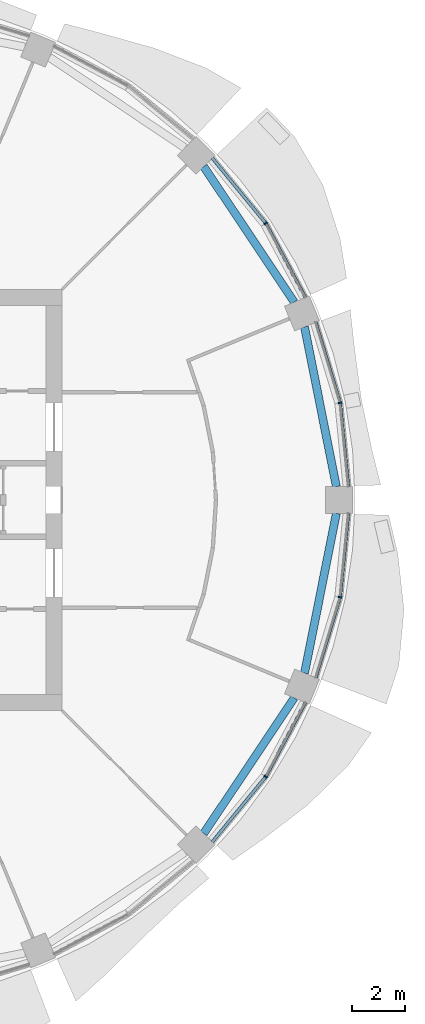
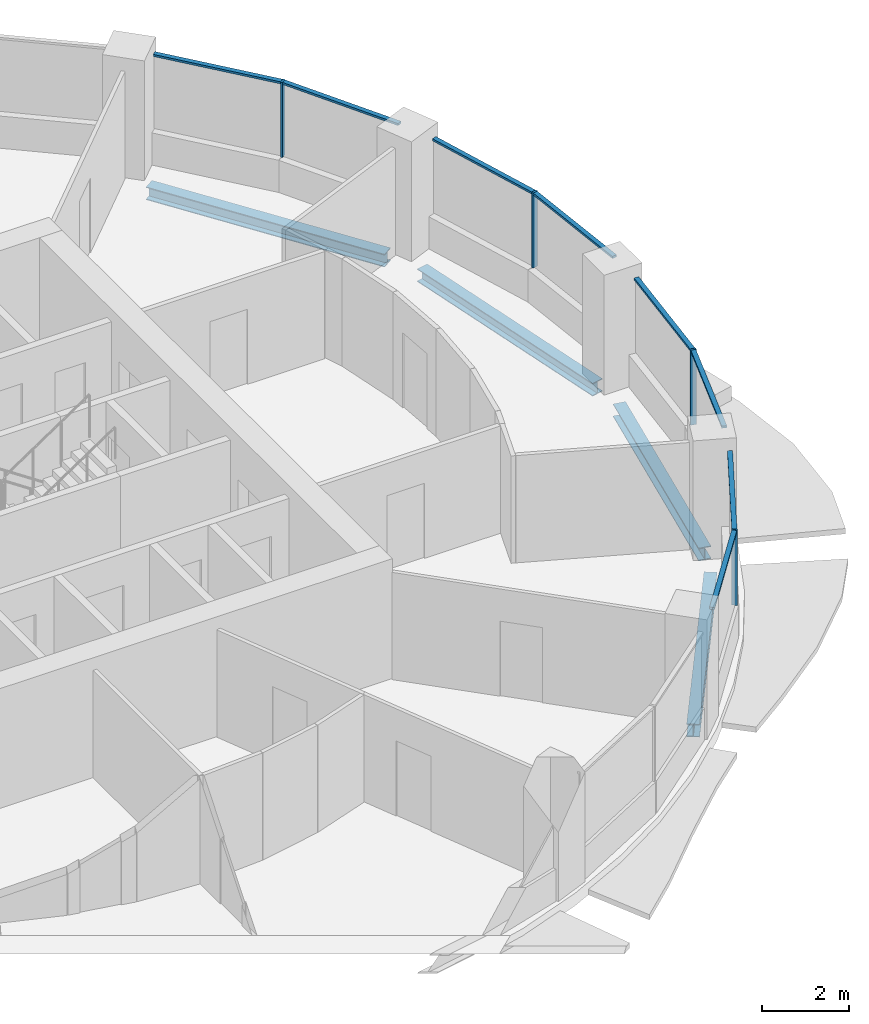
# One storey, part 5 of 15: 12 members, 4 beams, 4 elements without a shape of their own.
"""IFC4 building model written with IfcOpenShell, lengths in metres."""

from ifc_helpers import new_model, si_unit, direction, frame, origin, origin_2d, place, context, subcontext, project, spatial, rectangle, i_section, extrude, material, material_profile, profile_set, type_object, element, aggregate, save


model = new_model("IFC4")

# Units and contexts
model_context = context("Model", 3, precision=1e-05, world=origin(), true_north=direction((0.0, 1.0)))
body_context = subcontext(model_context, "Body", "Model", "MODEL_VIEW")
ifc_project = project(units=[si_unit("LENGTHUNIT", "METRE"), si_unit("AREAUNIT", "SQUARE_METRE"), si_unit("VOLUMEUNIT", "CUBIC_METRE"), si_unit("PLANEANGLEUNIT", "RADIAN"), si_unit("MASSUNIT", "GRAM", prefix="KILO")], contexts=[model_context])

# Site, building, storey
site_placement = place(None, origin())
site = spatial("IfcSite", under=ifc_project, at=site_placement, CompositionType="ELEMENT")
building_placement = place(site_placement, origin())
building = spatial("IfcBuilding", under=site, at=building_placement, Name="Polderwave Tower", CompositionType="ELEMENT")
storey_placement = place(building_placement, frame((0.0, 0.0, 154.449951171875)))
storey = spatial("IfcBuildingStorey", under=building, at=storey_placement, Name="L41", CompositionType="ELEMENT", Elevation=154.449951171875)

# Curtain wall, member
ifc_material_1 = material(Name="Aluminium 6063-T6 and glass", Category="aluminium")
curtain_wall_type = type_object("IfcCurtainWallType", Name="Office ribbon glazing wall", PredefinedType="NOTDEFINED", material=ifc_material_1)
curtain_wall_1_placement = place(storey_placement, origin())
curtain_wall_1 = element("IfcCurtainWall", 1, at=curtain_wall_1_placement, inside=storey, type_object=curtain_wall_type, Name="CW3 L41 00", PredefinedType="NOTDEFINED")
ifc_material_2 = material(Name="Aluminium 6063-T6", Category="aluminium")
ifc_material_profile_1 = material_profile(ifc_material_2, rectangle(XDim=0.139892578125, YDim=0.054931640625, at=origin_2d()), Name="AL 55x140")
ifc_profile_set_1 = profile_set([ifc_material_profile_1], Name="Aluminium 6063-T6")
member_type_1 = type_object("IfcMemberType", Name="Office ribbon glazing mullion 55x140", PredefinedType="MULLION", material=ifc_profile_set_1)
member_1_placement = place(storey_placement, frame((18.27197265625, 3.635009765625, 0.900146484375), z_axis=(0.0, 0.0, 1.0), x_axis=(-0.980786642367, -0.195083474838, 0.0)))
member_1 = element("IfcMember", 2, at=member_1_placement, type_object=member_type_1, Name="CW3 mullion 1", PredefinedType="MULLION", context=body_context, shape_type="SweptSolid", body=[
    extrude(rectangle(XDim=0.139892578125, YDim=0.054931640625, at=origin_2d()), origin(), (0.0, 0.0, 1.0), 2.099853515625),
])

curtain_wall_2_placement = place(storey_placement, origin())
curtain_wall_2 = element("IfcCurtainWall", 3, at=curtain_wall_2_placement, inside=storey, type_object=curtain_wall_type, Name="CW3 L41 01", PredefinedType="NOTDEFINED")
member_2_placement = place(storey_placement, frame((15.489990234375, 10.35009765625, 0.900146484375), z_axis=(0.0, 0.0, 1.0), x_axis=(-0.831484156812, -0.555548465006, 0.0)))
member_2 = element("IfcMember", 4, at=member_2_placement, type_object=member_type_1, Name="CW3 mullion 1", PredefinedType="MULLION", context=body_context, shape_type="SweptSolid", body=[
    extrude(rectangle(XDim=0.139892578125, YDim=0.054931640625, at=origin_2d()), origin(), (0.0, 0.0, 1.0), 2.099853515625),
])

curtain_wall_3_placement = place(storey_placement, origin())
curtain_wall_3 = element("IfcCurtainWall", 5, at=curtain_wall_3_placement, inside=storey, type_object=curtain_wall_type, Name="CW3 L41 14", PredefinedType="NOTDEFINED")
member_3_placement = place(storey_placement, frame((15.489990234375, -10.35009765625, 0.900146484375), z_axis=(0.0, 0.0, 1.0), x_axis=(-0.831484156812, 0.555548465006, 0.0)))
member_3 = element("IfcMember", 6, at=member_3_placement, type_object=member_type_1, Name="CW3 mullion 1", PredefinedType="MULLION", context=body_context, shape_type="SweptSolid", body=[
    extrude(rectangle(XDim=0.139892578125, YDim=0.054931640625, at=origin_2d()), origin(), (0.0, 0.0, 1.0), 2.099853515625),
])

curtain_wall_4_placement = place(storey_placement, origin())
curtain_wall_4 = element("IfcCurtainWall", 7, at=curtain_wall_4_placement, inside=storey, type_object=curtain_wall_type, Name="CW3 L41 15", PredefinedType="NOTDEFINED")
member_4_placement = place(storey_placement, frame((18.27197265625, -3.635009765625, 0.900146484375), z_axis=(0.0, 0.0, 1.0), x_axis=(-0.980786642367, 0.195083474838, 0.0)))
member_4 = element("IfcMember", 8, at=member_4_placement, type_object=member_type_1, Name="CW3 mullion 1", PredefinedType="MULLION", context=body_context, shape_type="SweptSolid", body=[
    extrude(rectangle(XDim=0.139892578125, YDim=0.054931640625, at=origin_2d()), origin(), (0.0, 0.0, 1.0), 2.099853515625),
])

# Member
ifc_material_profile_2 = material_profile(ifc_material_2, rectangle(XDim=0.1201171875, YDim=0.06005859375, at=origin_2d()), Name="AL 60x120")
ifc_profile_set_2 = profile_set([ifc_material_profile_2], Name="Aluminium 6063-T6")
member_type_2 = type_object("IfcMemberType", Name="Office ribbon glazing transom 60x120", PredefinedType="USERDEFINED", material=ifc_profile_set_2)
member_5_placement = place(storey_placement, frame((18.5810546875, 0.5, 2.969970703125), z_axis=(-0.098118026186, 0.995174785119, 0.0), x_axis=(-0.995174785119, -0.098118026186, 0.0)))
member_5 = element("IfcMember", 9, at=member_5_placement, type_object=member_type_2, Name="CW3 transom 1", ObjectType="TRANSOM", PredefinedType="USERDEFINED", context=body_context, shape_type="SweptSolid", body=[
    extrude(rectangle(XDim=0.1201171875, YDim=0.06005859375, at=origin_2d()), origin(), (0.0, 0.0, 1.0), 3.122802734375),
])

member_6_placement = place(storey_placement, frame((18.263916015625, 3.661376953125, 2.969970703125), z_axis=(-0.290209241883, 0.956963215555, 0.0), x_axis=(-0.956963215555, -0.290209241883, 0.0)))
member_6 = element("IfcMember", 10, at=member_6_placement, type_object=member_type_2, Name="CW3 transom 2", ObjectType="TRANSOM", PredefinedType="USERDEFINED", context=body_context, shape_type="SweptSolid", body=[
    extrude(rectangle(XDim=0.1201171875, YDim=0.06005859375, at=origin_2d()), origin(), (0.0, 0.0, 1.0), 3.121826171875),
])

aggregate(curtain_wall_1, [member_1, member_5, member_6])

member_7_placement = place(storey_placement, frame((16.97509765625, 7.572021484375, 2.969970703125), z_axis=(-0.471472684712, 0.881880665153, 0.0), x_axis=(-0.881880665153, -0.471472684712, 0.0)))
member_7 = element("IfcMember", 11, at=member_7_placement, type_object=member_type_2, Name="CW3 transom 1", ObjectType="TRANSOM", PredefinedType="USERDEFINED", context=body_context, shape_type="SweptSolid", body=[
    extrude(rectangle(XDim=0.1201171875, YDim=0.06005859375, at=origin_2d()), origin(), (0.0, 0.0, 1.0), 3.12255859375),
])

member_8_placement = place(storey_placement, frame((15.47265625, 10.371337890625, 2.969970703125), z_axis=(-0.634382512988, 0.773019292913, 0.0), x_axis=(-0.773019292913, -0.634382512988, 0.0)))
member_8 = element("IfcMember", 12, at=member_8_placement, type_object=member_type_2, Name="CW3 transom 2", ObjectType="TRANSOM", PredefinedType="USERDEFINED", context=body_context, shape_type="SweptSolid", body=[
    extrude(rectangle(XDim=0.1201171875, YDim=0.06005859375, at=origin_2d()), origin(), (0.0, 0.0, 1.0), 3.122314453125),
])

aggregate(curtain_wall_2, [member_2, member_7, member_8])

member_9_placement = place(storey_placement, frame((13.491943359375, -12.784912109375, 2.969970703125), z_axis=(0.634382512988, 0.773019292913, 0.0), x_axis=(-0.773019292913, 0.634382512988, 0.0)))
member_9 = element("IfcMember", 13, at=member_9_placement, type_object=member_type_2, Name="CW3 transom 1", ObjectType="TRANSOM", PredefinedType="USERDEFINED", context=body_context, shape_type="SweptSolid", body=[
    extrude(rectangle(XDim=0.1201171875, YDim=0.06005859375, at=origin_2d()), origin(), (0.0, 0.0, 1.0), 3.122314453125),
])

member_10_placement = place(storey_placement, frame((15.5029296875, -10.32568359375, 2.969970703125), z_axis=(0.471472684712, 0.881880665153, 0.0), x_axis=(-0.881880665153, 0.471472684712, 0.0)))
member_10 = element("IfcMember", 14, at=member_10_placement, type_object=member_type_2, Name="CW3 transom 2", ObjectType="TRANSOM", PredefinedType="USERDEFINED", context=body_context, shape_type="SweptSolid", body=[
    extrude(rectangle(XDim=0.1201171875, YDim=0.06005859375, at=origin_2d()), origin(), (0.0, 0.0, 1.0), 3.12255859375),
])

aggregate(curtain_wall_3, [member_3, member_9, member_10])

member_11_placement = place(storey_placement, frame((17.35791015625, -6.64892578125, 2.969970703125), z_axis=(0.290209241883, 0.956963215555, 0.0), x_axis=(-0.956963215555, 0.290209241883, 0.0)))
member_11 = element("IfcMember", 15, at=member_11_placement, type_object=member_type_2, Name="CW3 transom 1", ObjectType="TRANSOM", PredefinedType="USERDEFINED", context=body_context, shape_type="SweptSolid", body=[
    extrude(rectangle(XDim=0.1201171875, YDim=0.06005859375, at=origin_2d()), origin(), (0.0, 0.0, 1.0), 3.121826171875),
])

member_12_placement = place(storey_placement, frame((18.274658203125, -3.607666015625, 2.969970703125), z_axis=(0.098118026186, 0.995174785119, 0.0), x_axis=(-0.995174785119, 0.098118026186, 0.0)))
member_12 = element("IfcMember", 16, at=member_12_placement, type_object=member_type_2, Name="CW3 transom 2", ObjectType="TRANSOM", PredefinedType="USERDEFINED", context=body_context, shape_type="SweptSolid", body=[
    extrude(rectangle(XDim=0.1201171875, YDim=0.06005859375, at=origin_2d()), origin(), (0.0, 0.0, 1.0), 3.122802734375),
])

aggregate(curtain_wall_4, [member_4, member_11, member_12])

# Beams
ifc_material_3 = material(Name="Steel S355", Category="steel")
ifc_material_profile_3 = material_profile(ifc_material_3, i_section(OverallWidth=0.300048828125, OverallDepth=0.360107421875, WebThickness=0.012451171875, FlangeThickness=0.0224609375, at=origin_2d()), Name="HE 360 B")
ifc_profile_set_3 = profile_set([ifc_material_profile_3], Name="Steel S355")
beam_type = type_object("IfcBeamType", Name="RING BEAM HE 360 B", PredefinedType="BEAM", material=ifc_profile_set_3)
for number, where, z_axis, x_axis, name in (
    (17, (18.130615234375, 0.5, -0.530029296875), (-0.19508354483, 0.980786628445, 0.0), (-0.980786628445, -0.19508354483, 0.0), "ST-RB-L41-00"),
    (18, (16.55908203125, 7.400146484375, -0.530029296875), (-0.555550531273, 0.831482776251, 0.0), (-0.831482776251, -0.555550531273, 0.0), "ST-RB-L41-01"),
    (19, (13.173828125, -12.466796875, -0.530029296875), (0.555550531273, 0.831482776251, 0.0), (-0.831482776251, 0.555550531273, 0.0), "ST-RB-L41-14"),
    (20, (16.94189453125, -6.476318359375, -0.530029296875), (0.19508354483, 0.980786628445, 0.0), (-0.980786628445, 0.19508354483, 0.0), "ST-RB-L41-15"),
):
    element("IfcBeam", number, at=place(storey_placement, frame(where, z_axis=z_axis, x_axis=x_axis)), inside=storey, type_object=beam_type, Name=name, PredefinedType="BEAM", context=body_context, shape_type="SweptSolid", body=[
        extrude(i_section(OverallWidth=0.300048828125, OverallDepth=0.360107421875, WebThickness=0.012451171875, FlangeThickness=0.0224609375, at=origin_2d()), origin(), (0.0, 0.0, 1.0), 6.093505859375),
    ])

save(model, "model.ifc")
